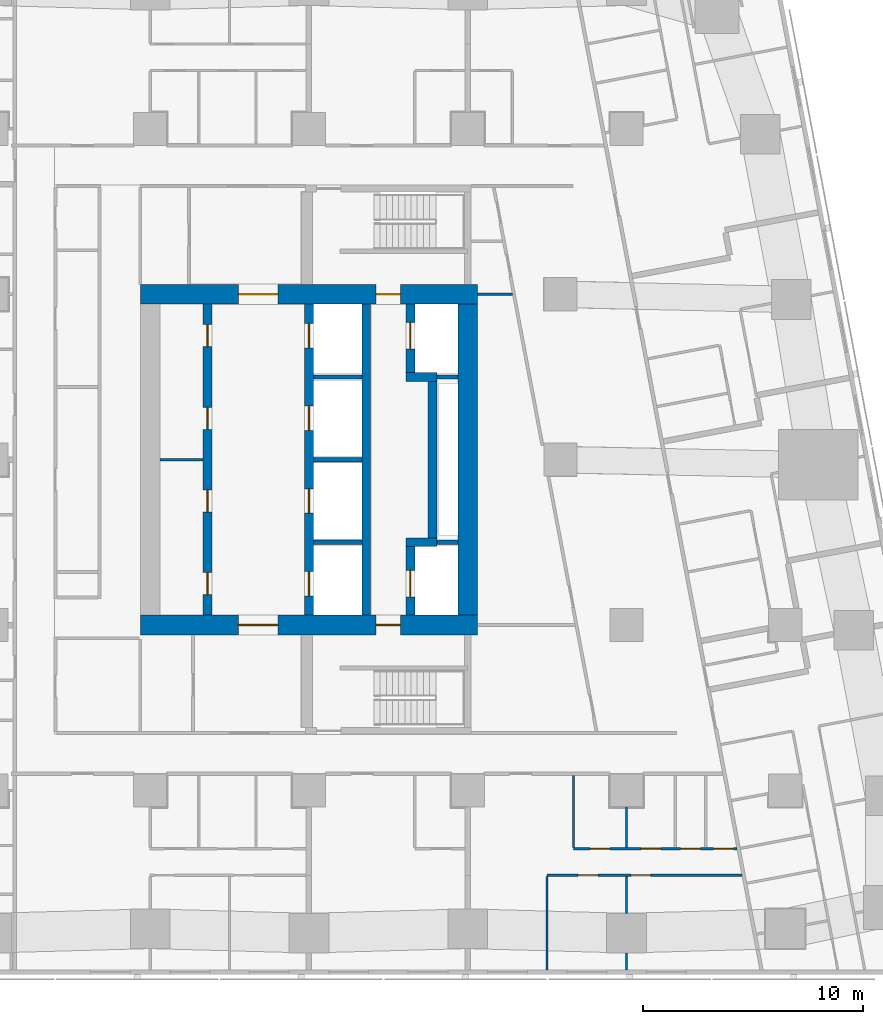
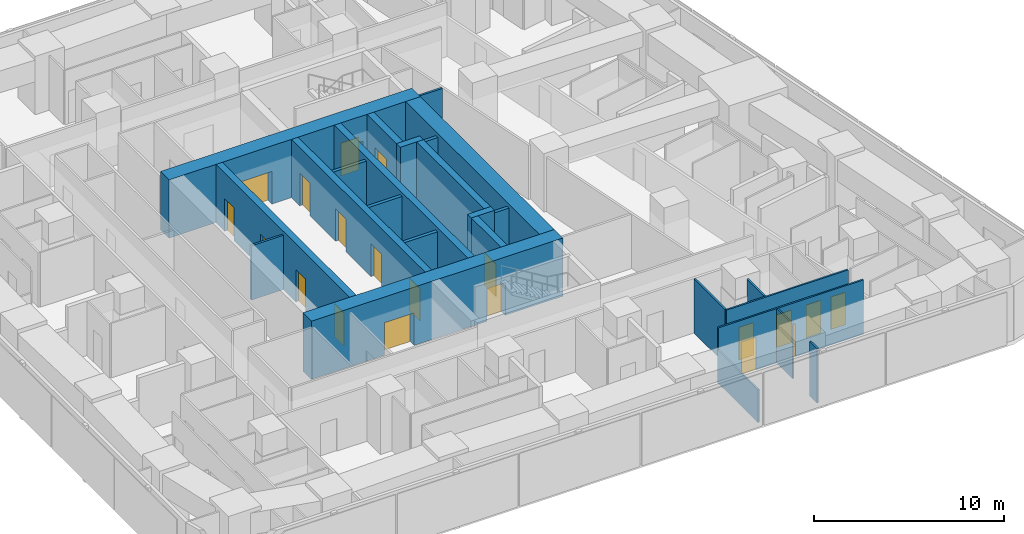
# One storey, part 5 of 15: 25 walls, 20 doors, 20 openings.
"""IFC4 building model written with IfcOpenShell, lengths in metres."""

from ifc_helpers import new_model, si_unit, direction, frame, frame_2d, origin, place, context, subcontext, project, spatial, rectangle, extrude, material, layer, layer_set, type_object, element, fill, save


model = new_model("IFC4")

# Units and contexts
model_context = context("Model", 3, precision=1e-05, world=origin(), true_north=direction((0.0, 1.0)))
body_context = subcontext(model_context, "Body", "Model", "MODEL_VIEW")
ifc_project = project(units=[si_unit("LENGTHUNIT", "METRE"), si_unit("AREAUNIT", "SQUARE_METRE"), si_unit("VOLUMEUNIT", "CUBIC_METRE"), si_unit("PLANEANGLEUNIT", "RADIAN"), si_unit("MASSUNIT", "GRAM", prefix="KILO")], contexts=[model_context])

# Site, building, storey
site_placement = place(None, origin())
site = spatial("IfcSite", under=ifc_project, at=site_placement, CompositionType="ELEMENT")
building_placement = place(site_placement, origin())
building = spatial("IfcBuilding", under=site, at=building_placement, Name="Sheger Commons Tower", CompositionType="ELEMENT")
storey_placement = place(building_placement, frame((0.0, 0.0, 177.050048828125)))
storey = spatial("IfcBuildingStorey", under=building, at=storey_placement, Name="L45", CompositionType="ELEMENT", Elevation=177.050048828125)

# Wall, openings, doors
ifc_material_1 = material(Name="Concrete C50/60", Category="concrete")
ifc_layer_1 = layer(ifc_material_1, 0.39990234375)
ifc_layer_set_1 = layer_set([ifc_layer_1], Name="CORE INNER WALL 400")
wall_type_1 = type_object("IfcWallType", Name="CORE INNER WALL 400", PredefinedType="SHEAR", material=ifc_layer_set_1)
wall_1_placement = place(storey_placement, frame((17.0, 15.449951171875, 0.0), z_axis=(0.0, 0.0, 1.0), x_axis=(0.0, 1.0, 0.0)))
wall_1 = element("IfcWall", 1, at=wall_1_placement, inside=storey, type_object=wall_type_1, Name="Core inner wall A L45", PredefinedType="SHEAR", context=body_context, shape_type="SweptSolid", body=[
    extrude(rectangle(XDim=14.10009765625, YDim=0.39990234375, at=frame_2d((7.050048828125, 0.0))), origin(), (0.0, 0.0, 1.0), 3.75),
])
opening_1_placement = place(wall_1_placement, frame((0.925048828125, 0.0, 0.0)))
opening_1 = element("IfcOpeningElement", 2, at=opening_1_placement, cuts=wall_1, Name="Opening D4", PredefinedType="OPENING", context=body_context, shape_type="SweptSolid", body=[
    extrude(rectangle(XDim=1.0, YDim=2.10009765625, at=frame_2d((0.5, 1.050048828125))), frame((0.0, 0.2099609375, 0.0), z_axis=(0.0, -1.0, 0.0), x_axis=(1.0, 0.0, 0.0)), (0.0, 0.0, 1.0), 0.419921875),
])
opening_2_placement = place(wall_1_placement, frame((4.675048828125, 0.0, 0.0)))
opening_2 = element("IfcOpeningElement", 3, at=opening_2_placement, cuts=wall_1, Name="Opening D4", PredefinedType="OPENING", context=body_context, shape_type="SweptSolid", body=[
    extrude(rectangle(XDim=1.0, YDim=2.10009765625, at=frame_2d((0.5, 1.050048828125))), frame((0.0, 0.2099609375, 0.0), z_axis=(0.0, -1.0, 0.0), x_axis=(1.0, 0.0, 0.0)), (0.0, 0.0, 1.0), 0.419921875),
])
opening_3_placement = place(wall_1_placement, frame((8.425048828125, 0.0, 0.0)))
opening_3 = element("IfcOpeningElement", 4, at=opening_3_placement, cuts=wall_1, Name="Opening D4", PredefinedType="OPENING", context=body_context, shape_type="SweptSolid", body=[
    extrude(rectangle(XDim=1.0, YDim=2.10009765625, at=frame_2d((0.5, 1.050048828125))), frame((0.0, 0.2099609375, 0.0), z_axis=(0.0, -1.0, 0.0), x_axis=(1.0, 0.0, 0.0)), (0.0, 0.0, 1.0), 0.419921875),
])
opening_4_placement = place(wall_1_placement, frame((12.175048828125, 0.0, 0.0)))
opening_4 = element("IfcOpeningElement", 5, at=opening_4_placement, cuts=wall_1, Name="Opening D4", PredefinedType="OPENING", context=body_context, shape_type="SweptSolid", body=[
    extrude(rectangle(XDim=1.0, YDim=2.10009765625, at=frame_2d((0.5, 1.050048828125))), frame((0.0, 0.2099609375, 0.0), z_axis=(0.0, -1.0, 0.0), x_axis=(1.0, 0.0, 0.0)), (0.0, 0.0, 1.0), 0.419921875),
])
ifc_material_2 = material(Name="Steel door set, fire rated", Category="steel")
door_type_1 = type_object("IfcDoorType", Name="SERVICE DOOR 1000x2100", OperationType="NOTDEFINED", PredefinedType="DOOR", material=ifc_material_2)
door_1_placement = place(opening_1_placement, origin())
door_1 = element("IfcDoor", 6, at=door_1_placement, inside=storey, type_object=door_type_1, Name="Estate store door", OperationType="SINGLE_SWING_LEFT", OverallHeight=2.10009765625, OverallWidth=1.0, PredefinedType="DOOR", context=body_context, shape_type="SweptSolid", body=[
    extrude(rectangle(XDim=1.0, YDim=2.10009765625, at=frame_2d((0.5, 1.050048828125))), frame((0.0, 0.02490234375, 0.0), z_axis=(0.0, -1.0, 0.0), x_axis=(1.0, 0.0, 0.0)), (0.0, 0.0, 1.0), 0.050048828125),
])
fill(opening_1, door_1)
door_2_placement = place(opening_2_placement, origin())
door_2 = element("IfcDoor", 7, at=door_2_placement, inside=storey, type_object=door_type_1, Name="Estate store door", OperationType="SINGLE_SWING_RIGHT", OverallHeight=2.10009765625, OverallWidth=1.0, PredefinedType="DOOR", context=body_context, shape_type="SweptSolid", body=[
    extrude(rectangle(XDim=1.0, YDim=2.10009765625, at=frame_2d((0.5, 1.050048828125))), frame((0.0, 0.02490234375, 0.0), z_axis=(0.0, -1.0, 0.0), x_axis=(1.0, 0.0, 0.0)), (0.0, 0.0, 1.0), 0.050048828125),
])
fill(opening_2, door_2)
door_3_placement = place(opening_3_placement, origin())
door_3 = element("IfcDoor", 8, at=door_3_placement, inside=storey, type_object=door_type_1, Name="Electrical switch room door", OperationType="SINGLE_SWING_LEFT", OverallHeight=2.10009765625, OverallWidth=1.0, PredefinedType="DOOR", context=body_context, shape_type="SweptSolid", body=[
    extrude(rectangle(XDim=1.0, YDim=2.10009765625, at=frame_2d((0.5, 1.050048828125))), frame((0.0, 0.02490234375, 0.0), z_axis=(0.0, -1.0, 0.0), x_axis=(1.0, 0.0, 0.0)), (0.0, 0.0, 1.0), 0.050048828125),
])
fill(opening_3, door_3)
door_4_placement = place(opening_4_placement, origin())
door_4 = element("IfcDoor", 9, at=door_4_placement, inside=storey, type_object=door_type_1, Name="Electrical switch room door", OperationType="SINGLE_SWING_RIGHT", OverallHeight=2.10009765625, OverallWidth=1.0, PredefinedType="DOOR", context=body_context, shape_type="SweptSolid", body=[
    extrude(rectangle(XDim=1.0, YDim=2.10009765625, at=frame_2d((0.5, 1.050048828125))), frame((0.0, 0.02490234375, 0.0), z_axis=(0.0, -1.0, 0.0), x_axis=(1.0, 0.0, 0.0)), (0.0, 0.0, 1.0), 0.050048828125),
])
fill(opening_4, door_4)

wall_2_placement = place(storey_placement, frame((21.60009765625, 15.449951171875, 0.0), z_axis=(0.0, 0.0, 1.0), x_axis=(0.0, 1.0, 0.0)))
wall_2 = element("IfcWall", 10, at=wall_2_placement, inside=storey, type_object=wall_type_1, Name="Core inner wall L L45", PredefinedType="SHEAR", context=body_context, shape_type="SweptSolid", body=[
    extrude(rectangle(XDim=14.10009765625, YDim=0.39990234375, at=frame_2d((7.050048828125, 0.0))), origin(), (0.0, 0.0, 1.0), 3.75),
])
opening_5_placement = place(wall_2_placement, frame((0.875, 0.0, 0.0)))
opening_5 = element("IfcOpeningElement", 11, at=opening_5_placement, cuts=wall_2, Name="Opening LD", PredefinedType="OPENING", context=body_context, shape_type="SweptSolid", body=[
    extrude(rectangle(XDim=1.10009765625, YDim=2.10009765625, at=frame_2d((0.550048828125, 1.050048828125))), frame((0.0, 0.2099609375, 0.0), z_axis=(0.0, -1.0, 0.0), x_axis=(1.0, 0.0, 0.0)), (0.0, 0.0, 1.0), 0.419921875),
])
opening_6_placement = place(wall_2_placement, frame((4.625, 0.0, 0.0)))
opening_6 = element("IfcOpeningElement", 12, at=opening_6_placement, cuts=wall_2, Name="Opening LD", PredefinedType="OPENING", context=body_context, shape_type="SweptSolid", body=[
    extrude(rectangle(XDim=1.10009765625, YDim=2.10009765625, at=frame_2d((0.550048828125, 1.050048828125))), frame((0.0, 0.2099609375, 0.0), z_axis=(0.0, -1.0, 0.0), x_axis=(1.0, 0.0, 0.0)), (0.0, 0.0, 1.0), 0.419921875),
])
opening_7_placement = place(wall_2_placement, frame((8.375, 0.0, 0.0)))
opening_7 = element("IfcOpeningElement", 13, at=opening_7_placement, cuts=wall_2, Name="Opening LD", PredefinedType="OPENING", context=body_context, shape_type="SweptSolid", body=[
    extrude(rectangle(XDim=1.10009765625, YDim=2.10009765625, at=frame_2d((0.550048828125, 1.050048828125))), frame((0.0, 0.2099609375, 0.0), z_axis=(0.0, -1.0, 0.0), x_axis=(1.0, 0.0, 0.0)), (0.0, 0.0, 1.0), 0.419921875),
])
opening_8_placement = place(wall_2_placement, frame((12.125, 0.0, 0.0)))
opening_8 = element("IfcOpeningElement", 14, at=opening_8_placement, cuts=wall_2, Name="Opening LD", PredefinedType="OPENING", context=body_context, shape_type="SweptSolid", body=[
    extrude(rectangle(XDim=1.10009765625, YDim=2.10009765625, at=frame_2d((0.550048828125, 1.050048828125))), frame((0.0, 0.2099609375, 0.0), z_axis=(0.0, -1.0, 0.0), x_axis=(1.0, 0.0, 0.0)), (0.0, 0.0, 1.0), 0.419921875),
])
ifc_material_3 = material(Name="Steel door set, fire rated", Category="steel")
door_type_2 = type_object("IfcDoorType", Name="LIFT LANDING DOOR 1100x2100", OperationType="DOUBLE_DOOR_SLIDING", PredefinedType="DOOR", material=ifc_material_3)
door_5_placement = place(opening_5_placement, origin())
door_5 = element("IfcDoor", 15, at=door_5_placement, inside=storey, type_object=door_type_2, Name="Lift LB1 landing door", OperationType="DOUBLE_DOOR_SLIDING", OverallHeight=2.10009765625, OverallWidth=1.10009765625, PredefinedType="DOOR", context=body_context, shape_type="SweptSolid", body=[
    extrude(rectangle(XDim=1.10009765625, YDim=2.10009765625, at=frame_2d((0.550048828125, 1.050048828125))), frame((0.0, 0.02490234375, 0.0), z_axis=(0.0, -1.0, 0.0), x_axis=(1.0, 0.0, 0.0)), (0.0, 0.0, 1.0), 0.050048828125),
])
fill(opening_5, door_5)
door_6_placement = place(opening_6_placement, origin())
door_6 = element("IfcDoor", 16, at=door_6_placement, inside=storey, type_object=door_type_2, Name="Lift LB2 landing door", OperationType="DOUBLE_DOOR_SLIDING", OverallHeight=2.10009765625, OverallWidth=1.10009765625, PredefinedType="DOOR", context=body_context, shape_type="SweptSolid", body=[
    extrude(rectangle(XDim=1.10009765625, YDim=2.10009765625, at=frame_2d((0.550048828125, 1.050048828125))), frame((0.0, 0.02490234375, 0.0), z_axis=(0.0, -1.0, 0.0), x_axis=(1.0, 0.0, 0.0)), (0.0, 0.0, 1.0), 0.050048828125),
])
fill(opening_6, door_6)
door_7_placement = place(opening_7_placement, origin())
door_7 = element("IfcDoor", 17, at=door_7_placement, inside=storey, type_object=door_type_2, Name="Lift LB3 landing door", OperationType="DOUBLE_DOOR_SLIDING", OverallHeight=2.10009765625, OverallWidth=1.10009765625, PredefinedType="DOOR", context=body_context, shape_type="SweptSolid", body=[
    extrude(rectangle(XDim=1.10009765625, YDim=2.10009765625, at=frame_2d((0.550048828125, 1.050048828125))), frame((0.0, 0.02490234375, 0.0), z_axis=(0.0, -1.0, 0.0), x_axis=(1.0, 0.0, 0.0)), (0.0, 0.0, 1.0), 0.050048828125),
])
fill(opening_7, door_7)
door_8_placement = place(opening_8_placement, origin())
door_8 = element("IfcDoor", 18, at=door_8_placement, inside=storey, type_object=door_type_2, Name="Lift LB4 landing door", OperationType="DOUBLE_DOOR_SLIDING", OverallHeight=2.10009765625, OverallWidth=1.10009765625, PredefinedType="DOOR", context=body_context, shape_type="SweptSolid", body=[
    extrude(rectangle(XDim=1.10009765625, YDim=2.10009765625, at=frame_2d((0.550048828125, 1.050048828125))), frame((0.0, 0.02490234375, 0.0), z_axis=(0.0, -1.0, 0.0), x_axis=(1.0, 0.0, 0.0)), (0.0, 0.0, 1.0), 0.050048828125),
])
fill(opening_8, door_8)

# Wall
wall_3_placement = place(storey_placement, frame((24.199951171875, 15.449951171875, 0.0), z_axis=(0.0, 0.0, 1.0), x_axis=(0.0, 1.0, 0.0)))
element("IfcWall", 19, at=wall_3_placement, inside=storey, type_object=wall_type_1, Name="Core inner wall B L45", PredefinedType="SHEAR", context=body_context, shape_type="SweptSolid", body=[
    extrude(rectangle(XDim=14.10009765625, YDim=0.39990234375, at=frame_2d((7.050048828125, 0.0))), origin(), (0.0, 0.0, 1.0), 3.75),
])

# Wall, opening, door
wall_4_placement = place(storey_placement, frame((26.199951171875, 15.449951171875, 0.0), z_axis=(0.0, 0.0, 1.0), x_axis=(0.0, 1.0, 0.0)))
wall_4 = element("IfcWall", 20, at=wall_4_placement, inside=storey, type_object=wall_type_1, Name="Core inner wall F L45", PredefinedType="SHEAR", context=body_context, shape_type="SweptSolid", body=[
    extrude(rectangle(XDim=3.10009765625, YDim=0.39990234375, at=frame_2d((1.550048828125, 0.0))), origin(), (0.0, 0.0, 1.0), 3.75),
])
opening_9_placement = place(wall_4_placement, frame((0.824951171875, 0.0, 0.0)))
opening_9 = element("IfcOpeningElement", 21, at=opening_9_placement, cuts=wall_4, Name="Opening LD2", PredefinedType="OPENING", context=body_context, shape_type="SweptSolid", body=[
    extrude(rectangle(XDim=1.199951171875, YDim=2.10009765625, at=frame_2d((0.60009765625, 1.050048828125))), frame((0.0, 0.2099609375, 0.0), z_axis=(0.0, -1.0, 0.0), x_axis=(1.0, 0.0, 0.0)), (0.0, 0.0, 1.0), 0.419921875),
])
ifc_material_4 = material(Name="Steel door set, fire rated", Category="steel")
door_type_3 = type_object("IfcDoorType", Name="FIREFIGHTING LIFT LANDING DOOR 1200x2100", OperationType="DOUBLE_DOOR_SLIDING", PredefinedType="DOOR", material=ifc_material_4)
door_9_placement = place(opening_9_placement, origin())
door_9 = element("IfcDoor", 22, at=door_9_placement, inside=storey, type_object=door_type_3, Name="Lift FL1 landing door", OperationType="DOUBLE_DOOR_SLIDING", OverallHeight=2.10009765625, OverallWidth=1.199951171875, PredefinedType="DOOR", context=body_context, shape_type="SweptSolid", body=[
    extrude(rectangle(XDim=1.199951171875, YDim=2.10009765625, at=frame_2d((0.60009765625, 1.050048828125))), frame((0.0, 0.02490234375, 0.0), z_axis=(0.0, -1.0, 0.0), x_axis=(1.0, 0.0, 0.0)), (0.0, 0.0, 1.0), 0.050048828125),
])
fill(opening_9, door_9)

# Walls
wall_5_placement = place(storey_placement, frame((26.0, 18.75, 0.0), z_axis=(0.0, 0.0, 1.0), x_axis=(1.0, 0.0, 0.0)))
element("IfcWall", 23, at=wall_5_placement, inside=storey, type_object=wall_type_1, Name="Core inner wall F south return L45", PredefinedType="SHEAR", context=body_context, shape_type="SweptSolid", body=[
    extrude(rectangle(XDim=1.39990234375, YDim=0.39990234375, at=frame_2d((0.699951171875, 0.0))), origin(), (0.0, 0.0, 1.0), 3.75),
])
wall_6_placement = place(storey_placement, frame((27.199951171875, 18.949951171875, 0.0), z_axis=(0.0, 0.0, 1.0), x_axis=(0.0, 1.0, 0.0)))
element("IfcWall", 24, at=wall_6_placement, inside=storey, type_object=wall_type_1, Name="Core inner wall F middle L45", PredefinedType="SHEAR", context=body_context, shape_type="SweptSolid", body=[
    extrude(rectangle(XDim=7.10009765625, YDim=0.39990234375, at=frame_2d((3.550048828125, 0.0))), origin(), (0.0, 0.0, 1.0), 3.75),
])
wall_7_placement = place(storey_placement, frame((26.0, 26.25, 0.0), z_axis=(0.0, 0.0, 1.0), x_axis=(1.0, 0.0, 0.0)))
element("IfcWall", 25, at=wall_7_placement, inside=storey, type_object=wall_type_1, Name="Core inner wall F north return L45", PredefinedType="SHEAR", context=body_context, shape_type="SweptSolid", body=[
    extrude(rectangle(XDim=1.39990234375, YDim=0.39990234375, at=frame_2d((0.699951171875, 0.0))), origin(), (0.0, 0.0, 1.0), 3.75),
])

# Wall, opening, door
wall_8_placement = place(storey_placement, frame((26.199951171875, 26.449951171875, 0.0), z_axis=(0.0, 0.0, 1.0), x_axis=(0.0, 1.0, 0.0)))
wall_8 = element("IfcWall", 26, at=wall_8_placement, inside=storey, type_object=wall_type_1, Name="Core inner wall F north L45", PredefinedType="SHEAR", context=body_context, shape_type="SweptSolid", body=[
    extrude(rectangle(XDim=3.10009765625, YDim=0.39990234375, at=frame_2d((1.550048828125, 0.0))), origin(), (0.0, 0.0, 1.0), 3.75),
])
opening_10_placement = place(wall_8_placement, frame((1.074951171875, 0.0, 0.0)))
opening_10 = element("IfcOpeningElement", 27, at=opening_10_placement, cuts=wall_8, Name="Opening LD2", PredefinedType="OPENING", context=body_context, shape_type="SweptSolid", body=[
    extrude(rectangle(XDim=1.199951171875, YDim=2.10009765625, at=frame_2d((0.60009765625, 1.050048828125))), frame((0.0, 0.2099609375, 0.0), z_axis=(0.0, -1.0, 0.0), x_axis=(1.0, 0.0, 0.0)), (0.0, 0.0, 1.0), 0.419921875),
])
door_10_placement = place(opening_10_placement, origin())
door_10 = element("IfcDoor", 28, at=door_10_placement, inside=storey, type_object=door_type_3, Name="Lift FL2 landing door", OperationType="DOUBLE_DOOR_SLIDING", OverallHeight=2.10009765625, OverallWidth=1.199951171875, PredefinedType="DOOR", context=body_context, shape_type="SweptSolid", body=[
    extrude(rectangle(XDim=1.199951171875, YDim=2.10009765625, at=frame_2d((0.60009765625, 1.050048828125))), frame((0.0, 0.02490234375, 0.0), z_axis=(0.0, -1.0, 0.0), x_axis=(1.0, 0.0, 0.0)), (0.0, 0.0, 1.0), 0.050048828125),
])
fill(opening_10, door_10)

# Wall, openings, doors
ifc_material_5 = material(Name="Concrete C50/60", Category="concrete")
ifc_layer_2 = layer(ifc_material_5, 0.89990234375)
ifc_layer_set_2 = layer_set([ifc_layer_2], Name="CORE WALL 900")
wall_type_2 = type_object("IfcWallType", Name="CORE WALL 900", PredefinedType="SHEAR", material=ifc_layer_set_2)
wall_9_placement = place(storey_placement, frame((13.949951171875, 15.0, 0.0), z_axis=(0.0, 0.0, 1.0), x_axis=(1.0, 0.0, 0.0)))
wall_9 = element("IfcWall", 29, at=wall_9_placement, inside=storey, type_object=wall_type_2, Name="Core wall south L45", PredefinedType="SHEAR", context=body_context, shape_type="SweptSolid", body=[
    extrude(rectangle(XDim=15.300048828125, YDim=0.89990234375, at=frame_2d((7.64990234375, 0.0))), origin(), (0.0, 0.0, 1.0), 3.75),
])
opening_11_placement = place(wall_9_placement, frame((4.449951171875, 0.0, 0.0)))
opening_11 = element("IfcOpeningElement", 30, at=opening_11_placement, cuts=wall_9, Name="Opening D6", PredefinedType="OPENING", context=body_context, shape_type="SweptSolid", body=[
    extrude(rectangle(XDim=1.800048828125, YDim=2.10009765625, at=frame_2d((0.89990234375, 1.050048828125))), frame((0.0, 0.4599609375, 0.0), z_axis=(0.0, -1.0, 0.0), x_axis=(1.0, 0.0, 0.0)), (0.0, 0.0, 1.0), 0.919921875),
])
opening_12_placement = place(wall_9_placement, frame((10.699951171875, 0.0, 0.0)))
opening_12 = element("IfcOpeningElement", 31, at=opening_12_placement, cuts=wall_9, Name="Opening D5", PredefinedType="OPENING", context=body_context, shape_type="SweptSolid", body=[
    extrude(rectangle(XDim=1.10009765625, YDim=2.10009765625, at=frame_2d((0.550048828125, 1.050048828125))), frame((0.0, 0.4599609375, 0.0), z_axis=(0.0, -1.0, 0.0), x_axis=(1.0, 0.0, 0.0)), (0.0, 0.0, 1.0), 0.919921875),
])
ifc_material_6 = material(Name="Steel door set, fire rated", Category="steel")
door_type_4 = type_object("IfcDoorType", Name="LOBBY DOUBLE DOOR 1800x2100", OperationType="DOUBLE_DOOR_SINGLE_SWING", PredefinedType="DOOR", material=ifc_material_6)
door_11_placement = place(opening_11_placement, origin())
door_11 = element("IfcDoor", 32, at=door_11_placement, inside=storey, type_object=door_type_4, Name="Lift lobby door", OperationType="DOUBLE_DOOR_SINGLE_SWING", OverallHeight=2.10009765625, OverallWidth=1.800048828125, PredefinedType="DOOR", context=body_context, shape_type="SweptSolid", body=[
    extrude(rectangle(XDim=1.800048828125, YDim=2.10009765625, at=frame_2d((0.89990234375, 1.050048828125))), frame((0.0, 0.02490234375, 0.0), z_axis=(0.0, -1.0, 0.0), x_axis=(1.0, 0.0, 0.0)), (0.0, 0.0, 1.0), 0.050048828125),
])
fill(opening_11, door_11)
ifc_material_7 = material(Name="Steel door set, fire rated", Category="steel")
door_type_5 = type_object("IfcDoorType", Name="STAIR DOOR 1100x2100", OperationType="NOTDEFINED", PredefinedType="DOOR", material=ifc_material_7)
door_12_placement = place(opening_12_placement, origin())
door_12 = element("IfcDoor", 33, at=door_12_placement, inside=storey, type_object=door_type_5, Name="Fire-fighting lobby door", OperationType="SINGLE_SWING_RIGHT", OverallHeight=2.10009765625, OverallWidth=1.10009765625, PredefinedType="DOOR", context=body_context, shape_type="SweptSolid", body=[
    extrude(rectangle(XDim=1.10009765625, YDim=2.10009765625, at=frame_2d((0.550048828125, 1.050048828125))), frame((0.0, 0.02490234375, 0.0), z_axis=(0.0, -1.0, 0.0), x_axis=(1.0, 0.0, 0.0)), (0.0, 0.0, 1.0), 0.050048828125),
])
fill(opening_12, door_12)

wall_10_placement = place(storey_placement, frame((13.949951171875, 30.0, 0.0), z_axis=(0.0, 0.0, 1.0), x_axis=(1.0, 0.0, 0.0)))
wall_10 = element("IfcWall", 34, at=wall_10_placement, inside=storey, type_object=wall_type_2, Name="Core wall north L45", PredefinedType="SHEAR", context=body_context, shape_type="SweptSolid", body=[
    extrude(rectangle(XDim=15.300048828125, YDim=0.89990234375, at=frame_2d((7.64990234375, 0.0))), origin(), (0.0, 0.0, 1.0), 3.75),
])
opening_13_placement = place(wall_10_placement, frame((4.449951171875, 0.0, 0.0)))
opening_13 = element("IfcOpeningElement", 35, at=opening_13_placement, cuts=wall_10, Name="Opening D6", PredefinedType="OPENING", context=body_context, shape_type="SweptSolid", body=[
    extrude(rectangle(XDim=1.800048828125, YDim=2.10009765625, at=frame_2d((0.89990234375, 1.050048828125))), frame((0.0, 0.4599609375, 0.0), z_axis=(0.0, -1.0, 0.0), x_axis=(1.0, 0.0, 0.0)), (0.0, 0.0, 1.0), 0.919921875),
])
opening_14_placement = place(wall_10_placement, frame((10.699951171875, 0.0, 0.0)))
opening_14 = element("IfcOpeningElement", 36, at=opening_14_placement, cuts=wall_10, Name="Opening D5", PredefinedType="OPENING", context=body_context, shape_type="SweptSolid", body=[
    extrude(rectangle(XDim=1.10009765625, YDim=2.10009765625, at=frame_2d((0.550048828125, 1.050048828125))), frame((0.0, 0.4599609375, 0.0), z_axis=(0.0, -1.0, 0.0), x_axis=(1.0, 0.0, 0.0)), (0.0, 0.0, 1.0), 0.919921875),
])
door_13_placement = place(opening_13_placement, origin())
door_13 = element("IfcDoor", 37, at=door_13_placement, inside=storey, type_object=door_type_4, Name="Lift lobby door", OperationType="DOUBLE_DOOR_SINGLE_SWING", OverallHeight=2.10009765625, OverallWidth=1.800048828125, PredefinedType="DOOR", context=body_context, shape_type="SweptSolid", body=[
    extrude(rectangle(XDim=1.800048828125, YDim=2.10009765625, at=frame_2d((0.89990234375, 1.050048828125))), frame((0.0, 0.02490234375, 0.0), z_axis=(0.0, -1.0, 0.0), x_axis=(1.0, 0.0, 0.0)), (0.0, 0.0, 1.0), 0.050048828125),
])
fill(opening_13, door_13)
door_14_placement = place(opening_14_placement, origin())
door_14 = element("IfcDoor", 38, at=door_14_placement, inside=storey, type_object=door_type_5, Name="Fire-fighting lobby door", OperationType="SINGLE_SWING_RIGHT", OverallHeight=2.10009765625, OverallWidth=1.10009765625, PredefinedType="DOOR", context=body_context, shape_type="SweptSolid", body=[
    extrude(rectangle(XDim=1.10009765625, YDim=2.10009765625, at=frame_2d((0.550048828125, 1.050048828125))), frame((0.0, 0.02490234375, 0.0), z_axis=(0.0, -1.0, 0.0), x_axis=(1.0, 0.0, 0.0)), (0.0, 0.0, 1.0), 0.050048828125),
])
fill(opening_14, door_14)

# Wall
wall_11_placement = place(storey_placement, frame((28.800048828125, 15.449951171875, 0.0), z_axis=(0.0, 0.0, 1.0), x_axis=(0.0, 1.0, 0.0)))
element("IfcWall", 39, at=wall_11_placement, inside=storey, type_object=wall_type_2, Name="Core wall east L45", PredefinedType="SHEAR", context=body_context, shape_type="SweptSolid", body=[
    extrude(rectangle(XDim=14.10009765625, YDim=0.89990234375, at=frame_2d((7.050048828125, 0.0))), origin(), (0.0, 0.0, 1.0), 3.75),
])

# Wall, openings, doors
ifc_material_8 = material(Name="Gypsum board on steel studs", Category="steel")
ifc_layer_3 = layer(ifc_material_8, 0.10009765625)
ifc_layer_set_3 = layer_set([ifc_layer_3], Name="PARTITION 100")
wall_type_3 = type_object("IfcWallType", Name="PARTITION 100", PredefinedType="PARTITIONING", material=ifc_layer_set_3)
wall_12_placement = place(storey_placement, frame((41.22900390625, 3.64990234375, 0.0), z_axis=(0.0, 0.0, 1.0), x_axis=(-1.0, 0.0, 0.0)))
wall_12 = element("IfcWall", 40, at=wall_12_placement, inside=storey, type_object=wall_type_3, Name="Partition L45", PredefinedType="PARTITIONING", context=body_context, shape_type="SweptSolid", body=[
    extrude(rectangle(XDim=8.8291015625, YDim=0.10009765625, at=frame_2d((4.41455078125, 0.0))), origin(), (0.0, 0.0, 1.0), 3.5),
])
opening_15_placement = place(wall_12_placement, frame((6.530029296875, 0.0, 0.0)))
opening_15 = element("IfcOpeningElement", 41, at=opening_15_placement, cuts=wall_12, Name="Opening D2", PredefinedType="OPENING", context=body_context, shape_type="SweptSolid", body=[
    extrude(rectangle(XDim=0.89990234375, YDim=2.10009765625, at=frame_2d((0.449951171875, 1.050048828125))), frame((0.0, 0.06005859375, 0.0), z_axis=(0.0, -1.0, 0.0), x_axis=(1.0, 0.0, 0.0)), (0.0, 0.0, 1.0), 0.1201171875),
])
opening_16_placement = place(wall_12_placement, frame((4.12890625, 0.0, 0.0)))
opening_16 = element("IfcOpeningElement", 42, at=opening_16_placement, cuts=wall_12, Name="Opening D2", PredefinedType="OPENING", context=body_context, shape_type="SweptSolid", body=[
    extrude(rectangle(XDim=0.89990234375, YDim=2.10009765625, at=frame_2d((0.449951171875, 1.050048828125))), frame((0.0, 0.06005859375, 0.0), z_axis=(0.0, -1.0, 0.0), x_axis=(1.0, 0.0, 0.0)), (0.0, 0.0, 1.0), 0.1201171875),
])
ifc_material_9 = material(Name="Timber door set", Category="wood")
door_type_6 = type_object("IfcDoorType", Name="INTERNAL DOOR 900x2100", OperationType="NOTDEFINED", PredefinedType="DOOR", material=ifc_material_9)
door_15_placement = place(opening_15_placement, origin())
door_15 = element("IfcDoor", 43, at=door_15_placement, inside=storey, type_object=door_type_6, Name="Main bedroom door", OperationType="SINGLE_SWING_RIGHT", OverallHeight=2.10009765625, OverallWidth=0.89990234375, PredefinedType="DOOR", context=body_context, shape_type="SweptSolid", body=[
    extrude(rectangle(XDim=0.89990234375, YDim=2.10009765625, at=frame_2d((0.449951171875, 1.050048828125))), frame((0.0, 0.02490234375, 0.0), z_axis=(0.0, -1.0, 0.0), x_axis=(1.0, 0.0, 0.0)), (0.0, 0.0, 1.0), 0.050048828125),
])
fill(opening_15, door_15)
door_16_placement = place(opening_16_placement, origin())
door_16 = element("IfcDoor", 44, at=door_16_placement, inside=storey, type_object=door_type_6, Name="Bedroom 2 door", OperationType="SINGLE_SWING_RIGHT", OverallHeight=2.10009765625, OverallWidth=0.89990234375, PredefinedType="DOOR", context=body_context, shape_type="SweptSolid", body=[
    extrude(rectangle(XDim=0.89990234375, YDim=2.10009765625, at=frame_2d((0.449951171875, 1.050048828125))), frame((0.0, 0.02490234375, 0.0), z_axis=(0.0, -1.0, 0.0), x_axis=(1.0, 0.0, 0.0)), (0.0, 0.0, 1.0), 0.050048828125),
])
fill(opening_16, door_16)

wall_13_placement = place(storey_placement, frame((41.001953125, 4.85009765625, 0.0), z_axis=(0.0, 0.0, 1.0), x_axis=(-1.0, 0.0, 0.0)))
wall_13 = element("IfcWall", 45, at=wall_13_placement, inside=storey, type_object=wall_type_3, Name="Partition L45", PredefinedType="PARTITIONING", context=body_context, shape_type="SweptSolid", body=[
    extrude(rectangle(XDim=7.40283203125, YDim=0.10009765625, at=frame_2d((3.701416015625, 0.0))), origin(), (0.0, 0.0, 1.0), 3.5),
])
opening_17_placement = place(wall_13_placement, frame((5.7529296875, 0.0, 0.0)))
opening_17 = element("IfcOpeningElement", 46, at=opening_17_placement, cuts=wall_13, Name="Opening D2", PredefinedType="OPENING", context=body_context, shape_type="SweptSolid", body=[
    extrude(rectangle(XDim=0.89990234375, YDim=2.10009765625, at=frame_2d((0.449951171875, 1.050048828125))), frame((0.0, 0.06005859375, 0.0), z_axis=(0.0, -1.0, 0.0), x_axis=(1.0, 0.0, 0.0)), (0.0, 0.0, 1.0), 0.1201171875),
])
opening_18_placement = place(wall_13_placement, frame((3.447021484375, 0.0, 0.0)))
opening_18 = element("IfcOpeningElement", 47, at=opening_18_placement, cuts=wall_13, Name="Opening D2", PredefinedType="OPENING", context=body_context, shape_type="SweptSolid", body=[
    extrude(rectangle(XDim=0.89990234375, YDim=2.10009765625, at=frame_2d((0.449951171875, 1.050048828125))), frame((0.0, 0.06005859375, 0.0), z_axis=(0.0, -1.0, 0.0), x_axis=(1.0, 0.0, 0.0)), (0.0, 0.0, 1.0), 0.1201171875),
])
opening_19_placement = place(wall_13_placement, frame((0.14990234375, 0.0, 0.0)))
opening_19 = element("IfcOpeningElement", 48, at=opening_19_placement, cuts=wall_13, Name="Opening D2", PredefinedType="OPENING", context=body_context, shape_type="SweptSolid", body=[
    extrude(rectangle(XDim=0.89990234375, YDim=2.10009765625, at=frame_2d((0.449951171875, 1.050048828125))), frame((0.0, 0.06005859375, 0.0), z_axis=(0.0, -1.0, 0.0), x_axis=(1.0, 0.0, 0.0)), (0.0, 0.0, 1.0), 0.1201171875),
])
opening_20_placement = place(wall_13_placement, frame((1.64697265625, 0.0, 0.0)))
opening_20 = element("IfcOpeningElement", 49, at=opening_20_placement, cuts=wall_13, Name="Opening D2", PredefinedType="OPENING", context=body_context, shape_type="SweptSolid", body=[
    extrude(rectangle(XDim=0.89990234375, YDim=2.10009765625, at=frame_2d((0.449951171875, 1.050048828125))), frame((0.0, 0.06005859375, 0.0), z_axis=(0.0, -1.0, 0.0), x_axis=(1.0, 0.0, 0.0)), (0.0, 0.0, 1.0), 0.1201171875),
])
door_17_placement = place(opening_17_placement, origin())
door_17 = element("IfcDoor", 50, at=door_17_placement, inside=storey, type_object=door_type_6, Name="Laundry room door", OperationType="SINGLE_SWING_LEFT", OverallHeight=2.10009765625, OverallWidth=0.89990234375, PredefinedType="DOOR", context=body_context, shape_type="SweptSolid", body=[
    extrude(rectangle(XDim=0.89990234375, YDim=2.10009765625, at=frame_2d((0.449951171875, 1.050048828125))), frame((0.0, 0.02490234375, 0.0), z_axis=(0.0, -1.0, 0.0), x_axis=(1.0, 0.0, 0.0)), (0.0, 0.0, 1.0), 0.050048828125),
])
fill(opening_17, door_17)
door_18_placement = place(opening_18_placement, origin())
door_18 = element("IfcDoor", 51, at=door_18_placement, inside=storey, type_object=door_type_6, Name="Bathroom door", OperationType="SINGLE_SWING_RIGHT", OverallHeight=2.10009765625, OverallWidth=0.89990234375, PredefinedType="DOOR", context=body_context, shape_type="SweptSolid", body=[
    extrude(rectangle(XDim=0.89990234375, YDim=2.10009765625, at=frame_2d((0.449951171875, 1.050048828125))), frame((0.0, 0.02490234375, 0.0), z_axis=(0.0, -1.0, 0.0), x_axis=(1.0, 0.0, 0.0)), (0.0, 0.0, 1.0), 0.050048828125),
])
fill(opening_18, door_18)
door_19_placement = place(opening_19_placement, origin())
door_19 = element("IfcDoor", 52, at=door_19_placement, inside=storey, type_object=door_type_6, Name="Laundry room door", OperationType="SINGLE_SWING_RIGHT", OverallHeight=2.10009765625, OverallWidth=0.89990234375, PredefinedType="DOOR", context=body_context, shape_type="SweptSolid", body=[
    extrude(rectangle(XDim=0.89990234375, YDim=2.10009765625, at=frame_2d((0.449951171875, 1.050048828125))), frame((0.0, 0.02490234375, 0.0), z_axis=(0.0, -1.0, 0.0), x_axis=(1.0, 0.0, 0.0)), (0.0, 0.0, 1.0), 0.050048828125),
])
fill(opening_19, door_19)
door_20_placement = place(opening_20_placement, origin())
door_20 = element("IfcDoor", 53, at=door_20_placement, inside=storey, type_object=door_type_6, Name="Store door", OperationType="SINGLE_SWING_LEFT", OverallHeight=2.10009765625, OverallWidth=0.89990234375, PredefinedType="DOOR", context=body_context, shape_type="SweptSolid", body=[
    extrude(rectangle(XDim=0.89990234375, YDim=2.10009765625, at=frame_2d((0.449951171875, 1.050048828125))), frame((0.0, 0.02490234375, 0.0), z_axis=(0.0, -1.0, 0.0), x_axis=(1.0, 0.0, 0.0)), (0.0, 0.0, 1.0), 0.050048828125),
])
fill(opening_20, door_20)

# Walls
wall_14_placement = place(storey_placement, frame((32.39990234375, -0.64990234375, 0.0), z_axis=(0.0, 0.0, 1.0), x_axis=(0.0, 1.0, 0.0)))
element("IfcWall", 54, at=wall_14_placement, inside=storey, type_object=wall_type_3, Name="Partition L45", PredefinedType="PARTITIONING", context=body_context, shape_type="SweptSolid", body=[
    extrude(rectangle(XDim=4.25, YDim=0.10009765625, at=frame_2d((2.125, 0.0))), origin(), (0.0, 0.0, 1.0), 2.099853515625),
])
wall_15_placement = place(storey_placement, frame((36.0, -0.64990234375, 0.0), z_axis=(0.0, 0.0, 1.0), x_axis=(0.0, 1.0, 0.0)))
element("IfcWall", 55, at=wall_15_placement, inside=storey, type_object=wall_type_3, Name="Partition L45", PredefinedType="PARTITIONING", context=body_context, shape_type="SweptSolid", body=[
    extrude(rectangle(XDim=0.77392578125, YDim=0.10009765625, at=frame_2d((0.386962890625, 0.0))), origin(), (0.0, 0.0, 1.0), 3.5),
])
wall_16_placement = place(storey_placement, frame((36.0, 1.926025390625, 0.0), z_axis=(0.0, 0.0, 1.0), x_axis=(0.0, 1.0, 0.0)))
element("IfcWall", 56, at=wall_16_placement, inside=storey, type_object=wall_type_3, Name="Partition L45", PredefinedType="PARTITIONING", context=body_context, shape_type="SweptSolid", body=[
    extrude(rectangle(XDim=1.674072265625, YDim=0.10009765625, at=frame_2d((0.8369140625, 0.0))), origin(), (0.0, 0.0, 1.0), 3.5),
])
wall_17_placement = place(storey_placement, frame((33.59912109375, 4.89990234375, 0.0), z_axis=(0.0, 0.0, 1.0), x_axis=(0.0, 1.0, 0.0)))
element("IfcWall", 57, at=wall_17_placement, inside=storey, type_object=wall_type_3, Name="Partition L45", PredefinedType="PARTITIONING", context=body_context, shape_type="SweptSolid", body=[
    extrude(rectangle(XDim=3.275146484375, YDim=0.10009765625, at=frame_2d((1.6376953125, 0.0))), origin(), (0.0, 0.0, 1.0), 3.5),
])
wall_18_placement = place(storey_placement, frame((36.0, 4.89990234375, 0.0), z_axis=(0.0, 0.0, 1.0), x_axis=(0.0, 1.0, 0.0)))
element("IfcWall", 58, at=wall_18_placement, inside=storey, type_object=wall_type_3, Name="Partition L45", PredefinedType="PARTITIONING", context=body_context, shape_type="SweptSolid", body=[
    extrude(rectangle(XDim=1.84912109375, YDim=0.10009765625, at=frame_2d((0.924560546875, 0.0))), origin(), (0.0, 0.0, 1.0), 3.5),
])
ifc_material_10 = material(Name="Gypsum board on steel studs, two layers each side, fire rated", Category="steel")
ifc_layer_4 = layer(ifc_material_10, 0.125)
ifc_layer_set_4 = layer_set([ifc_layer_4], Name="SERVICE WALL 125")
wall_type_4 = type_object("IfcWallType", Name="SERVICE WALL 125", PredefinedType="PARTITIONING", material=ifc_layer_set_4)
wall_19_placement = place(storey_placement, frame((29.25, 30.0, 0.0), z_axis=(0.0, 0.0, 1.0), x_axis=(1.0, 0.0, 0.0)))
element("IfcWall", 59, at=wall_19_placement, inside=storey, type_object=wall_type_4, Name="Service room wall L45", PredefinedType="PARTITIONING", context=body_context, shape_type="SweptSolid", body=[
    extrude(rectangle(XDim=1.5791015625, YDim=0.125, at=frame_2d((0.78955078125, 0.0))), origin(), (0.0, 0.0, 1.0), 3.5),
])
wall_20_placement = place(storey_placement, frame((14.85009765625, 22.5, 0.0), z_axis=(0.0, 0.0, 1.0), x_axis=(1.0, 0.0, 0.0)))
element("IfcWall", 60, at=wall_20_placement, inside=storey, type_object=wall_type_4, Name="Service room wall L45", PredefinedType="PARTITIONING", context=body_context, shape_type="SweptSolid", body=[
    extrude(rectangle(XDim=1.949951171875, YDim=0.125, at=frame_2d((0.97509765625, 0.0))), origin(), (0.0, 0.0, 1.0), 3.5),
])
ifc_material_11 = material(Name="Hollow concrete block masonry", Category="masonry")
ifc_layer_5 = layer(ifc_material_11, 0.199951171875)
ifc_layer_set_5 = layer_set([ifc_layer_5], Name="SHAFT WALL 200")
wall_type_5 = type_object("IfcWallType", Name="SHAFT WALL 200", PredefinedType="SOLIDWALL", material=ifc_layer_set_5)
for number, where, z_axis, x_axis, name in (
    (61, (21.800048828125, 18.75, 0.0), (0.0, 0.0, 1.0), (1.0, 0.0, 0.0), "Lift shaft wall L45"),
    (62, (21.800048828125, 22.5, 0.0), (0.0, 0.0, 1.0), (1.0, 0.0, 0.0), "Lift shaft wall L45"),
    (63, (21.800048828125, 26.25, 0.0), (0.0, 0.0, 1.0), (1.0, 0.0, 0.0), "Lift shaft wall L45"),
):
    element("IfcWall", number, at=place(storey_placement, frame(where, z_axis=z_axis, x_axis=x_axis)), inside=storey, type_object=wall_type_5, Name=name, PredefinedType="SOLIDWALL", context=body_context, shape_type="SweptSolid", body=[
        extrude(rectangle(XDim=2.199951171875, YDim=0.199951171875, at=frame_2d((1.10009765625, 0.0))), origin(), (0.0, 0.0, 1.0), 3.5),
    ])
for number, where, z_axis, x_axis, name in (
    (64, (27.39990234375, 18.75, 0.0), (0.0, 0.0, 1.0), (1.0, 0.0, 0.0), "Lift shaft wall L45"),
    (65, (27.39990234375, 26.25, 0.0), (0.0, 0.0, 1.0), (1.0, 0.0, 0.0), "Lift shaft wall L45"),
):
    element("IfcWall", number, at=place(storey_placement, frame(where, z_axis=z_axis, x_axis=x_axis)), inside=storey, type_object=wall_type_5, Name=name, PredefinedType="SOLIDWALL", context=body_context, shape_type="SweptSolid", body=[
        extrude(rectangle(XDim=0.9501953125, YDim=0.199951171875, at=frame_2d((0.47509765625, 0.0))), origin(), (0.0, 0.0, 1.0), 3.5),
    ])

save(model, "model.ifc")
